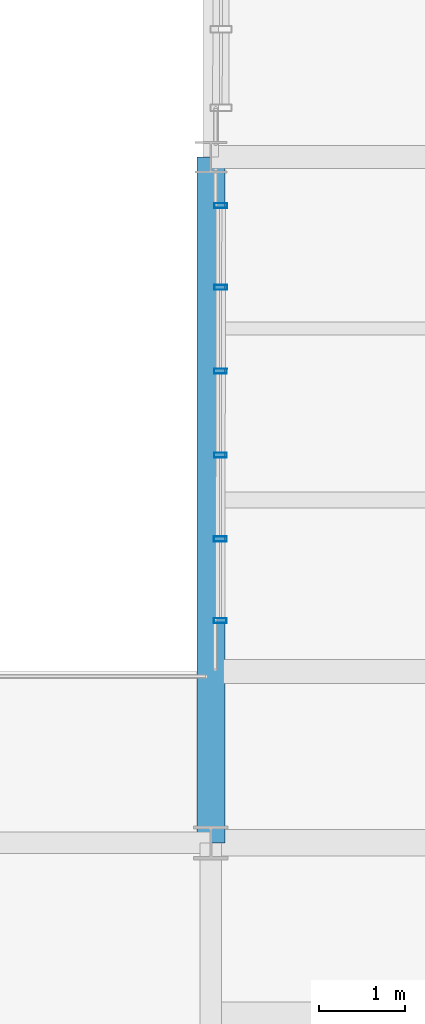
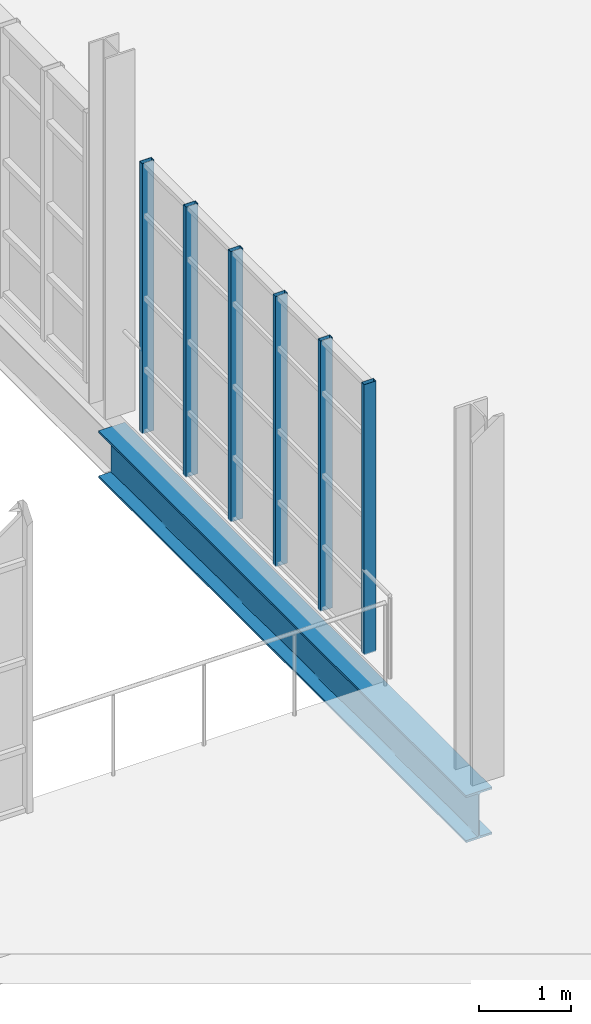
# One storey, part 28 of 122: 6 members, 1 beam, 1 element without a shape of its own.
"""IFC4 building model written with IfcOpenShell, lengths in metres."""

from ifc_helpers import new_model, si_unit, direction, frame, origin, origin_2d, place, context, subcontext, project, spatial, hollow_rectangle, i_section, extrude, material, layer, layer_set, material_profile, profile_set, type_object, element, aggregate, save


model = new_model("IFC4")

# Units and contexts
model_context = context("Model", 3, precision=1e-05, world=origin(), true_north=direction((0.0, 1.0)))
body_context = subcontext(model_context, "Body", "Model", "MODEL_VIEW")
ifc_project = project(units=[si_unit("LENGTHUNIT", "METRE"), si_unit("AREAUNIT", "SQUARE_METRE"), si_unit("VOLUMEUNIT", "CUBIC_METRE"), si_unit("PLANEANGLEUNIT", "RADIAN"), si_unit("MASSUNIT", "GRAM", prefix="KILO"), si_unit("THERMODYNAMICTEMPERATUREUNIT", "KELVIN"), si_unit("POWERUNIT", "WATT")], contexts=[model_context])

# Site, building, storey
site_placement = place(None, origin())
site = spatial("IfcSite", under=ifc_project, at=site_placement, CompositionType="ELEMENT")
building_placement = place(site_placement, origin())
building = spatial("IfcBuilding", under=site, at=building_placement, Name="Zelmaris Science Centre", CompositionType="ELEMENT")
storey_placement = place(building_placement, frame((0.0, 0.0, 10.800048828125)))
storey = spatial("IfcBuildingStorey", under=building, at=storey_placement, Name="L02", CompositionType="ELEMENT", Elevation=10.800048828125)

# Curtain wall, members
ifc_material_1 = material(Name="Anodised architectural aluminium 6063-T6", Category="aluminium")
ifc_layer = layer(ifc_material_1, 0.219970703125, Name="Anodised architectural aluminium 6063-T6")
ifc_layer_set = layer_set([ifc_layer], Name="Anodised architectural aluminium 6063-T6")
curtain_wall_type = type_object("IfcCurtainWallType", Name="Curtain Wall CW-04", PredefinedType="USERDEFINED", material=ifc_layer_set)
curtain_wall_placement = place(storey_placement, origin())
curtain_wall = element("IfcCurtainWall", 1, at=curtain_wall_placement, inside=storey, type_object=curtain_wall_type, Name="L02 Unitised curtain wall 264", ObjectType="GLAZED CURTAIN WALL", PredefinedType="USERDEFINED")
ifc_material_profile_1 = material_profile(ifc_material_1, hollow_rectangle(XDim=0.06005859375, YDim=0.14990234375, WallThickness=0.00341796875, at=origin_2d()), Name="ALU-MUL-60X150")
ifc_profile_set_1 = profile_set([ifc_material_profile_1], Name="Anodised architectural aluminium 6063-T6")
member_type = type_object("IfcMemberType", Name="ALU-MUL-60X150", PredefinedType="MULLION", material=ifc_profile_set_1)
member_1_placement = place(storey_placement, frame((117.1103515625, 34.592529296875, -0.01513671875), z_axis=(0.0, 0.0, 1.0), x_axis=(0.001019272107, 0.999999480542, 0.0)))
member_1 = element("IfcMember", 2, at=member_1_placement, type_object=member_type, Name="CW-04 mullion 1", PredefinedType="MULLION", context=body_context, shape_type="SweptSolid", body=[
    extrude(hollow_rectangle(XDim=0.06005859375, YDim=0.14990234375, WallThickness=0.00341796875, at=origin_2d()), origin(), (0.0, 0.0, 1.0), 3.593017578125),
])
member_2_placement = place(storey_placement, frame((117.111328125, 35.545166015625, -0.01513671875), z_axis=(0.0, 0.0, 1.0), x_axis=(0.001019272107, 0.999999480542, 0.0)))
member_2 = element("IfcMember", 3, at=member_2_placement, type_object=member_type, Name="CW-04 mullion 2", PredefinedType="MULLION", context=body_context, shape_type="SweptSolid", body=[
    extrude(hollow_rectangle(XDim=0.06005859375, YDim=0.14990234375, WallThickness=0.00341796875, at=origin_2d()), origin(), (0.0, 0.0, 1.0), 3.593017578125),
])
member_3_placement = place(storey_placement, frame((117.1123046875, 36.52392578125, -0.01513671875), z_axis=(0.0, 0.0, 1.0), x_axis=(0.001019272107, 0.999999480542, 0.0)))
member_3 = element("IfcMember", 4, at=member_3_placement, type_object=member_type, Name="CW-04 mullion 3", PredefinedType="MULLION", context=body_context, shape_type="SweptSolid", body=[
    extrude(hollow_rectangle(XDim=0.06005859375, YDim=0.14990234375, WallThickness=0.00341796875, at=origin_2d()), origin(), (0.0, 0.0, 1.0), 3.593017578125),
])
member_4_placement = place(storey_placement, frame((117.11328125, 37.502685546875, -0.01513671875), z_axis=(0.0, 0.0, 1.0), x_axis=(0.001019272107, 0.999999480542, 0.0)))
member_4 = element("IfcMember", 5, at=member_4_placement, type_object=member_type, Name="CW-04 mullion 4", PredefinedType="MULLION", context=body_context, shape_type="SweptSolid", body=[
    extrude(hollow_rectangle(XDim=0.06005859375, YDim=0.14990234375, WallThickness=0.00341796875, at=origin_2d()), origin(), (0.0, 0.0, 1.0), 3.593017578125),
])
member_5_placement = place(storey_placement, frame((117.114501953125, 38.481201171875, -0.01513671875), z_axis=(0.0, 0.0, 1.0), x_axis=(0.001019272107, 0.999999480542, 0.0)))
member_5 = element("IfcMember", 6, at=member_5_placement, type_object=member_type, Name="CW-04 mullion 5", PredefinedType="MULLION", context=body_context, shape_type="SweptSolid", body=[
    extrude(hollow_rectangle(XDim=0.06005859375, YDim=0.14990234375, WallThickness=0.00341796875, at=origin_2d()), origin(), (0.0, 0.0, 1.0), 3.593017578125),
])
member_6_placement = place(storey_placement, frame((117.115478515625, 39.433837890625, -0.01513671875), z_axis=(0.0, 0.0, 1.0), x_axis=(0.001019272107, 0.999999480542, 0.0)))
member_6 = element("IfcMember", 7, at=member_6_placement, type_object=member_type, Name="CW-04 mullion 6", PredefinedType="MULLION", context=body_context, shape_type="SweptSolid", body=[
    extrude(hollow_rectangle(XDim=0.06005859375, YDim=0.14990234375, WallThickness=0.00341796875, at=origin_2d()), origin(), (0.0, 0.0, 1.0), 3.593017578125),
])
aggregate(curtain_wall, [member_1, member_2, member_3, member_4, member_5, member_6])

# Beam
ifc_material_2 = material(Name="Steel ASTM A992 Grade 50", Category="steel")
ifc_material_profile_2 = material_profile(ifc_material_2, i_section(OverallWidth=0.327880859375, OverallDepth=0.626953125, WebThickness=0.0166015625, FlangeThickness=0.027587890625, FilletRadius=0.014892578125, at=origin_2d()), Name="W24X146")
ifc_profile_set_2 = profile_set([ifc_material_profile_2], Name="Steel ASTM A992 Grade 50")
beam_type = type_object("IfcBeamType", Name="Beam G-37 W24X146", PredefinedType="BEAM", material=ifc_profile_set_2)
beam_placement = place(storey_placement, frame((117.0, 32.0, -0.573486328125), z_axis=(0.0, 1.0, 0.0), x_axis=(-1.0, 0.0, 0.0)))
element("IfcBeam", 8, at=beam_placement, inside=storey, type_object=beam_type, Name="L02 North-south girder 522", PredefinedType="BEAM", context=body_context, shape_type="SweptSolid", body=[
    extrude(i_section(OverallWidth=0.327880859375, OverallDepth=0.626953125, WebThickness=0.0166015625, FlangeThickness=0.027587890625, FilletRadius=0.014892578125, at=origin_2d()), origin(), (0.0, 0.0, 1.0), 8.0),
])

save(model, "model.ifc")
